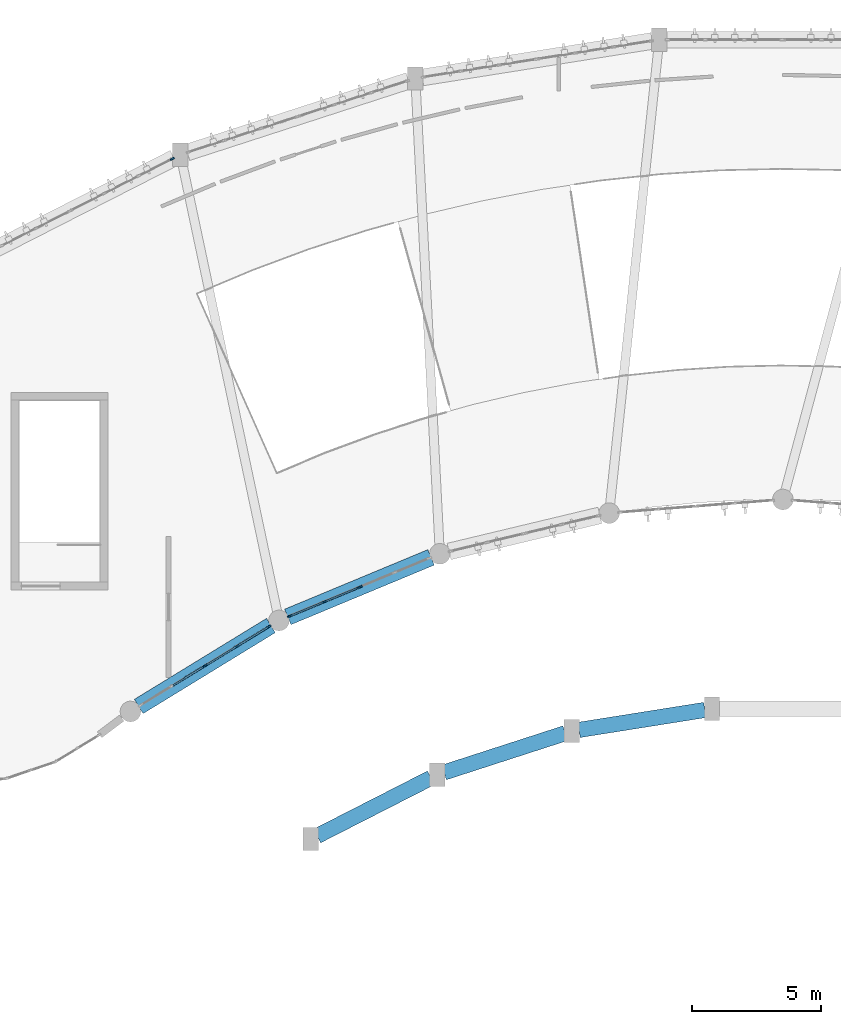
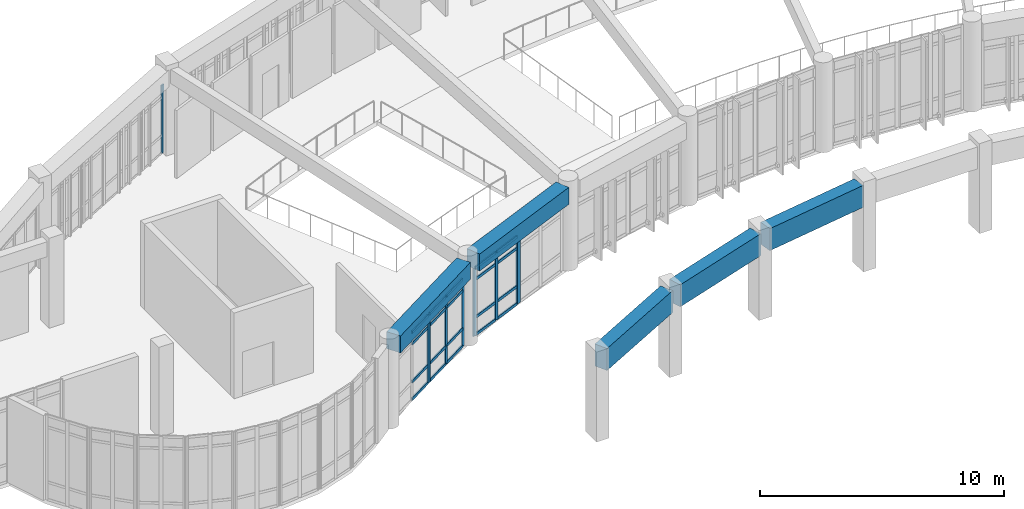
# One storey, part 12 of 54: 29 members, 5 beams, 5 elements without a shape of their own.
"""IFC4 building model written with IfcOpenShell, lengths in metres."""

from ifc_helpers import new_model, si_unit, direction, frame, origin, origin_2d, place, context, subcontext, project, spatial, rectangle, extrude, material, layer, layer_set, material_profile, profile_set, type_object, element, aggregate, save


model = new_model("IFC4")

# Units and contexts
model_context = context("Model", 3, precision=1e-05, world=origin(), true_north=direction((0.0, 1.0)))
body_context = subcontext(model_context, "Body", "Model", "MODEL_VIEW")
ifc_project = project(units=[si_unit("LENGTHUNIT", "METRE"), si_unit("AREAUNIT", "SQUARE_METRE"), si_unit("VOLUMEUNIT", "CUBIC_METRE"), si_unit("PLANEANGLEUNIT", "RADIAN"), si_unit("MASSUNIT", "GRAM", prefix="KILO")], contexts=[model_context])

# Site, building, storey
site_placement = place(None, origin())
site = spatial("IfcSite", under=ifc_project, at=site_placement, CompositionType="ELEMENT")
building_placement = place(site_placement, origin())
building = spatial("IfcBuilding", under=site, at=building_placement, Name="Miralva Faculty of Natural Sciences", CompositionType="ELEMENT")
storey_placement = place(building_placement, frame((0.0, 0.0, 19.5)))
storey = spatial("IfcBuildingStorey", under=building, at=storey_placement, Name="L04", CompositionType="ELEMENT", Elevation=19.5)

# Beams
ifc_material_1 = material(Name="Concrete C40/50", Category="concrete")
ifc_material_profile_1 = material_profile(ifc_material_1, rectangle(XDim=0.64990234375, YDim=0.85009765625, at=origin_2d()), Name="RC 650x850")
ifc_profile_set_1 = profile_set([ifc_material_profile_1], Name="Concrete C40/50")
beam_type_1 = type_object("IfcBeamType", Name="BM-SP03", PredefinedType="SPANDREL", material=ifc_profile_set_1)
beam_1_placement = place(storey_placement, frame((76.3701171875, 19.7587890625, 3.8349609375), z_axis=(-0.923386658192, -0.383871175621, 0.0), x_axis=(0.383871175621, -0.923386658192, 0.0)))
element("IfcBeam", 1, at=beam_1_placement, inside=storey, type_object=beam_type_1, Name="Curved chord girder ARCIN L04-7", PredefinedType="SPANDREL", context=body_context, shape_type="SweptSolid", body=[
    extrude(rectangle(XDim=0.64990234375, YDim=0.85009765625, at=origin_2d()), origin(), (0.0, 0.0, 1.0), 6.0107421875),
])
beam_2_placement = place(storey_placement, frame((70.166015625, 17.117919921875, 3.8349609375), z_axis=(-0.85286755932, -0.52212730848, 0.0), x_axis=(0.52212730848, -0.85286755932, 0.0)))
element("IfcBeam", 2, at=beam_2_placement, inside=storey, type_object=beam_type_1, Name="Curved chord girder ARCIN L04-8", PredefinedType="SPANDREL", context=body_context, shape_type="SweptSolid", body=[
    extrude(rectangle(XDim=0.64990234375, YDim=0.85009765625, at=origin_2d()), origin(), (0.0, 0.0, 1.0), 6.005615234375),
])
ifc_material_profile_2 = material_profile(ifc_material_1, rectangle(XDim=0.60009765625, YDim=1.10009765625, at=origin_2d()), Name="RC 600x1100")
ifc_profile_set_2 = profile_set([ifc_material_profile_2], Name="Concrete C40/50")
beam_type_2 = type_object("IfcBeamType", Name="BM-TG01", PredefinedType="BEAM", material=ifc_profile_set_2)
beam_3_placement = place(storey_placement, frame((86.977294921875, 13.8466796875, 3.7099609375), z_axis=(-0.987645980672, -0.156701681112, 0.0), x_axis=(0.156701681112, -0.987645980672, 0.0)))
element("IfcBeam", 3, at=beam_3_placement, inside=storey, type_object=beam_type_2, Name="Curved chord girder SHIN L04-5", PredefinedType="BEAM", context=body_context, shape_type="SweptSolid", body=[
    extrude(rectangle(XDim=0.60009765625, YDim=1.10009765625, at=origin_2d()), origin(), (0.0, 0.0, 1.0), 4.935791015625),
])
beam_4_placement = place(storey_placement, frame((81.5673828125, 12.945068359375, 3.7099609375), z_axis=(-0.951378867788, -0.308023132129, 0.0), x_axis=(0.308023132129, -0.951378867788, 0.0)))
element("IfcBeam", 4, at=beam_4_placement, inside=storey, type_object=beam_type_2, Name="Curved chord girder SHIN L04-6", PredefinedType="BEAM", context=body_context, shape_type="SweptSolid", body=[
    extrude(rectangle(XDim=0.60009765625, YDim=1.10009765625, at=origin_2d()), origin(), (0.0, 0.0, 1.0), 4.934814453125),
])
beam_5_placement = place(storey_placement, frame((76.364013671875, 11.214599609375, 3.7099609375), z_axis=(-0.890746789072, -0.454499898523, 0.0), x_axis=(0.454499898523, -0.890746789072, 0.0)))
element("IfcBeam", 5, at=beam_5_placement, inside=storey, type_object=beam_type_2, Name="Curved chord girder SHIN L04-7", PredefinedType="BEAM", context=body_context, shape_type="SweptSolid", body=[
    extrude(rectangle(XDim=0.60009765625, YDim=1.10009765625, at=origin_2d()), origin(), (0.0, 0.0, 1.0), 4.948974609375),
])

# Curtain wall, member
ifc_material_2 = material(Name="Laminated solar-control glass", Category="glass")
ifc_layer = layer(ifc_material_2, 0.179931640625, Name="CW-ARC-L03")
ifc_layer_set = layer_set([ifc_layer], Name="Laminated solar-control glass")
curtain_wall_type = type_object("IfcCurtainWallType", Name="CW-ARC-L03", PredefinedType="USERDEFINED", material=ifc_layer_set)
curtain_wall_1_placement = place(storey_placement, origin())
curtain_wall_1 = element("IfcCurtainWall", 6, at=curtain_wall_1_placement, inside=storey, type_object=curtain_wall_type, Name="Curtain wall CW-03 L04-157", ObjectType="UNITISED CURTAIN WALL", PredefinedType="USERDEFINED")
ifc_material_3 = material(Name="Anodised aluminium", Category="aluminium")
ifc_material_profile_3 = material_profile(ifc_material_3, rectangle(XDim=0.06494140625, YDim=0.179931640625, at=origin_2d()), Name="MULLION 65x180")
ifc_profile_set_3 = profile_set([ifc_material_profile_3], Name="Anodised aluminium")
member_type_1 = type_object("IfcMemberType", Name="CW-M01", PredefinedType="MULLION", material=ifc_profile_set_3)
member_1_placement = place(storey_placement, frame((67.573974609375, 15.533447265625, 0.0), z_axis=(0.0, 0.0, 1.0), x_axis=(-0.522497642249, 0.852640729642, 0.0)))
member_1 = element("IfcMember", 7, at=member_1_placement, type_object=member_type_1, Name="CW-03 mullion 3", PredefinedType="MULLION", context=body_context, shape_type="SweptSolid", body=[
    extrude(rectangle(XDim=0.06494140625, YDim=0.179931640625, at=origin_2d()), origin(), (0.0, 0.0, 1.0), 3.405029296875),
])

# Curtain wall, members
curtain_wall_2_placement = place(storey_placement, origin())
curtain_wall_2 = element("IfcCurtainWall", 8, at=curtain_wall_2_placement, inside=storey, type_object=curtain_wall_type, Name="Curtain wall CW-03 L04-158", ObjectType="UNITISED CURTAIN WALL", PredefinedType="USERDEFINED")
member_2_placement = place(storey_placement, frame((67.625244140625, 15.56494140625, 0.0), z_axis=(0.0, 0.0, 1.0), x_axis=(-0.522473936561, 0.852655256018, 0.0)))
member_2 = element("IfcMember", 9, at=member_2_placement, type_object=member_type_1, Name="CW-03 mullion 1", PredefinedType="MULLION", context=body_context, shape_type="SweptSolid", body=[
    extrude(rectangle(XDim=0.06494140625, YDim=0.179931640625, at=origin_2d()), origin(), (0.0, 0.0, 1.0), 3.405029296875),
])
member_3_placement = place(storey_placement, frame((68.856689453125, 16.319580078125, 0.0), z_axis=(0.0, 0.0, 1.0), x_axis=(-0.522473936561, 0.852655256018, 0.0)))
member_3 = element("IfcMember", 10, at=member_3_placement, type_object=member_type_1, Name="CW-03 mullion 2", PredefinedType="MULLION", context=body_context, shape_type="SweptSolid", body=[
    extrude(rectangle(XDim=0.06494140625, YDim=0.179931640625, at=origin_2d()), origin(), (0.0, 0.0, 1.0), 3.405029296875),
])
member_4_placement = place(storey_placement, frame((70.08837890625, 17.07421875, 0.0), z_axis=(0.0, 0.0, 1.0), x_axis=(-0.522473936561, 0.852655256018, 0.0)))
member_4 = element("IfcMember", 11, at=member_4_placement, type_object=member_type_1, Name="CW-03 mullion 3", PredefinedType="MULLION", context=body_context, shape_type="SweptSolid", body=[
    extrude(rectangle(XDim=0.06494140625, YDim=0.179931640625, at=origin_2d()), origin(), (0.0, 0.0, 1.0), 3.405029296875),
])

curtain_wall_3_placement = place(storey_placement, origin())
curtain_wall_3 = element("IfcCurtainWall", 12, at=curtain_wall_3_placement, inside=storey, type_object=curtain_wall_type, Name="Curtain wall CW-03 L04-159", ObjectType="UNITISED CURTAIN WALL", PredefinedType="USERDEFINED")
member_5_placement = place(storey_placement, frame((70.891845703125, 17.484619140625, 0.0), z_axis=(0.0, 0.0, 1.0), x_axis=(-0.382697056713, 0.923873889004, 0.0)))
member_5 = element("IfcMember", 13, at=member_5_placement, type_object=member_type_1, Name="CW-03 mullion 1", PredefinedType="MULLION", context=body_context, shape_type="SweptSolid", body=[
    extrude(rectangle(XDim=0.06494140625, YDim=0.179931640625, at=origin_2d()), origin(), (0.0, 0.0, 1.0), 3.405029296875),
])
member_6_placement = place(storey_placement, frame((72.228515625, 18.038330078125, 0.0), z_axis=(0.0, 0.0, 1.0), x_axis=(-0.382697056713, 0.923873889004, 0.0)))
member_6 = element("IfcMember", 14, at=member_6_placement, type_object=member_type_1, Name="CW-03 mullion 2", PredefinedType="MULLION", context=body_context, shape_type="SweptSolid", body=[
    extrude(rectangle(XDim=0.06494140625, YDim=0.179931640625, at=origin_2d()), origin(), (0.0, 0.0, 1.0), 3.405029296875),
])
member_7_placement = place(storey_placement, frame((73.565185546875, 18.592041015625, 0.0), z_axis=(0.0, 0.0, 1.0), x_axis=(-0.382697056713, 0.923873889004, 0.0)))
member_7 = element("IfcMember", 15, at=member_7_placement, type_object=member_type_1, Name="CW-03 mullion 3", PredefinedType="MULLION", context=body_context, shape_type="SweptSolid", body=[
    extrude(rectangle(XDim=0.06494140625, YDim=0.179931640625, at=origin_2d()), origin(), (0.0, 0.0, 1.0), 3.405029296875),
])

# Curtain wall, member
curtain_wall_4_placement = place(storey_placement, origin())
curtain_wall_4 = element("IfcCurtainWall", 16, at=curtain_wall_4_placement, inside=storey, type_object=curtain_wall_type, Name="Curtain wall CW-03 L04-160", ObjectType="UNITISED CURTAIN WALL", PredefinedType="USERDEFINED")
member_8_placement = place(storey_placement, frame((73.62060546875, 18.614990234375, 0.0), z_axis=(0.0, 0.0, 1.0), x_axis=(-0.382654754557, 0.923891410727, 0.0)))
member_8 = element("IfcMember", 17, at=member_8_placement, type_object=member_type_1, Name="CW-03 mullion 1", PredefinedType="MULLION", context=body_context, shape_type="SweptSolid", body=[
    extrude(rectangle(XDim=0.06494140625, YDim=0.179931640625, at=origin_2d()), origin(), (0.0, 0.0, 1.0), 3.405029296875),
])
aggregate(curtain_wall_4, [member_8])

curtain_wall_5_placement = place(storey_placement, origin())
curtain_wall_5 = element("IfcCurtainWall", 18, at=curtain_wall_5_placement, inside=storey, type_object=curtain_wall_type, Name="Curtain wall CW-03 L04-176", ObjectType="UNITISED CURTAIN WALL", PredefinedType="USERDEFINED")
ifc_material_profile_4 = material_profile(ifc_material_3, rectangle(XDim=0.06494140625, YDim=0.159912109375, at=origin_2d()), Name="MULLION 65x160")
ifc_profile_set_4 = profile_set([ifc_material_profile_4], Name="Anodised aluminium")
member_type_2 = type_object("IfcMemberType", Name="CW-M02", PredefinedType="MULLION", material=ifc_profile_set_4)
member_9_placement = place(storey_placement, frame((66.3466796875, 35.19873046875, 0.0), z_axis=(0.0, 0.0, 1.0), x_axis=(-0.453974643591, 0.891014603122, 0.0)))
member_9 = element("IfcMember", 19, at=member_9_placement, type_object=member_type_2, Name="CW-03 mullion 4", PredefinedType="MULLION", context=body_context, shape_type="SweptSolid", body=[
    extrude(rectangle(XDim=0.06494140625, YDim=0.159912109375, at=origin_2d()), origin(), (0.0, 0.0, 1.0), 3.405029296875),
])
aggregate(curtain_wall_5, [member_9])

# Member
ifc_material_profile_5 = material_profile(ifc_material_3, rectangle(XDim=0.06494140625, YDim=0.139892578125, at=origin_2d()), Name="TRANSOM 65x140")
ifc_profile_set_5 = profile_set([ifc_material_profile_5], Name="Anodised aluminium")
member_type_3 = type_object("IfcMemberType", Name="CW-T01", PredefinedType="USERDEFINED", material=ifc_profile_set_5)
member_10_placement = place(storey_placement, frame((66.372314453125, 14.797119140625, 0.032470703125), z_axis=(0.852636925059, 0.522503850728, 0.0), x_axis=(-0.522503850728, 0.852636925059, 0.0)))
member_10 = element("IfcMember", 20, at=member_10_placement, type_object=member_type_3, Name="CW-03 transom 2.1", ObjectType="TRANSOM", PredefinedType="USERDEFINED", context=body_context, shape_type="SweptSolid", body=[
    extrude(rectangle(XDim=0.06494140625, YDim=0.139892578125, at=origin_2d()), origin(), (0.0, 0.0, 1.0), 1.376953125),
])

member_11_placement = place(storey_placement, frame((66.372314453125, 14.797119140625, 0.89990234375), z_axis=(0.852636925059, 0.522503850728, 0.0), x_axis=(-0.522503850728, 0.852636925059, 0.0)))
member_11 = element("IfcMember", 21, at=member_11_placement, type_object=member_type_3, Name="CW-03 transom 2.2", ObjectType="TRANSOM", PredefinedType="USERDEFINED", context=body_context, shape_type="SweptSolid", body=[
    extrude(rectangle(XDim=0.06494140625, YDim=0.139892578125, at=origin_2d()), origin(), (0.0, 0.0, 1.0), 1.376953125),
])

member_12_placement = place(storey_placement, frame((66.372314453125, 14.797119140625, 2.804931640625), z_axis=(0.852636925059, 0.522503850728, 0.0), x_axis=(-0.522503850728, 0.852636925059, 0.0)))
member_12 = element("IfcMember", 22, at=member_12_placement, type_object=member_type_3, Name="CW-03 transom 2.3", ObjectType="TRANSOM", PredefinedType="USERDEFINED", context=body_context, shape_type="SweptSolid", body=[
    extrude(rectangle(XDim=0.06494140625, YDim=0.139892578125, at=origin_2d()), origin(), (0.0, 0.0, 1.0), 1.376953125),
])

member_13_placement = place(storey_placement, frame((66.372314453125, 14.797119140625, 3.37255859375), z_axis=(0.852636925059, 0.522503850728, 0.0), x_axis=(-0.522503850728, 0.852636925059, 0.0)))
member_13 = element("IfcMember", 23, at=member_13_placement, type_object=member_type_3, Name="CW-03 transom 2.4", ObjectType="TRANSOM", PredefinedType="USERDEFINED", context=body_context, shape_type="SweptSolid", body=[
    extrude(rectangle(XDim=0.06494140625, YDim=0.139892578125, at=origin_2d()), origin(), (0.0, 0.0, 1.0), 1.376953125),
])

aggregate(curtain_wall_1, [member_1, member_10, member_11, member_12, member_13])

member_14_placement = place(storey_placement, frame((67.65283203125, 15.581787109375, 0.032470703125), z_axis=(0.852677549803, 0.522437552308, 0.0), x_axis=(-0.522437552308, 0.852677549803, 0.0)))
member_14 = element("IfcMember", 24, at=member_14_placement, type_object=member_type_3, Name="CW-03 transom 1.1", ObjectType="TRANSOM", PredefinedType="USERDEFINED", context=body_context, shape_type="SweptSolid", body=[
    extrude(rectangle(XDim=0.06494140625, YDim=0.139892578125, at=origin_2d()), origin(), (0.0, 0.0, 1.0), 1.37939453125),
])

member_15_placement = place(storey_placement, frame((67.65283203125, 15.581787109375, 0.89990234375), z_axis=(0.852677549803, 0.522437552308, 0.0), x_axis=(-0.522437552308, 0.852677549803, 0.0)))
member_15 = element("IfcMember", 25, at=member_15_placement, type_object=member_type_3, Name="CW-03 transom 1.2", ObjectType="TRANSOM", PredefinedType="USERDEFINED", context=body_context, shape_type="SweptSolid", body=[
    extrude(rectangle(XDim=0.06494140625, YDim=0.139892578125, at=origin_2d()), origin(), (0.0, 0.0, 1.0), 1.37939453125),
])

member_16_placement = place(storey_placement, frame((67.65283203125, 15.581787109375, 2.804931640625), z_axis=(0.852677549803, 0.522437552308, 0.0), x_axis=(-0.522437552308, 0.852677549803, 0.0)))
member_16 = element("IfcMember", 26, at=member_16_placement, type_object=member_type_3, Name="CW-03 transom 1.3", ObjectType="TRANSOM", PredefinedType="USERDEFINED", context=body_context, shape_type="SweptSolid", body=[
    extrude(rectangle(XDim=0.06494140625, YDim=0.139892578125, at=origin_2d()), origin(), (0.0, 0.0, 1.0), 1.37939453125),
])

member_17_placement = place(storey_placement, frame((67.65283203125, 15.581787109375, 3.37255859375), z_axis=(0.852677549803, 0.522437552308, 0.0), x_axis=(-0.522437552308, 0.852677549803, 0.0)))
member_17 = element("IfcMember", 27, at=member_17_placement, type_object=member_type_3, Name="CW-03 transom 1.4", ObjectType="TRANSOM", PredefinedType="USERDEFINED", context=body_context, shape_type="SweptSolid", body=[
    extrude(rectangle(XDim=0.06494140625, YDim=0.139892578125, at=origin_2d()), origin(), (0.0, 0.0, 1.0), 1.37939453125),
])

member_18_placement = place(storey_placement, frame((68.884521484375, 16.33642578125, 0.032470703125), z_axis=(0.852677549803, 0.522437552308, 0.0), x_axis=(-0.522437552308, 0.852677549803, 0.0)))
member_18 = element("IfcMember", 28, at=member_18_placement, type_object=member_type_3, Name="CW-03 transom 2.1", ObjectType="TRANSOM", PredefinedType="USERDEFINED", context=body_context, shape_type="SweptSolid", body=[
    extrude(rectangle(XDim=0.06494140625, YDim=0.139892578125, at=origin_2d()), origin(), (0.0, 0.0, 1.0), 1.37939453125),
])

member_19_placement = place(storey_placement, frame((68.884521484375, 16.33642578125, 0.89990234375), z_axis=(0.852677549803, 0.522437552308, 0.0), x_axis=(-0.522437552308, 0.852677549803, 0.0)))
member_19 = element("IfcMember", 29, at=member_19_placement, type_object=member_type_3, Name="CW-03 transom 2.2", ObjectType="TRANSOM", PredefinedType="USERDEFINED", context=body_context, shape_type="SweptSolid", body=[
    extrude(rectangle(XDim=0.06494140625, YDim=0.139892578125, at=origin_2d()), origin(), (0.0, 0.0, 1.0), 1.37939453125),
])

member_20_placement = place(storey_placement, frame((68.884521484375, 16.33642578125, 2.804931640625), z_axis=(0.852677549803, 0.522437552308, 0.0), x_axis=(-0.522437552308, 0.852677549803, 0.0)))
member_20 = element("IfcMember", 30, at=member_20_placement, type_object=member_type_3, Name="CW-03 transom 2.3", ObjectType="TRANSOM", PredefinedType="USERDEFINED", context=body_context, shape_type="SweptSolid", body=[
    extrude(rectangle(XDim=0.06494140625, YDim=0.139892578125, at=origin_2d()), origin(), (0.0, 0.0, 1.0), 1.37939453125),
])

member_21_placement = place(storey_placement, frame((68.884521484375, 16.33642578125, 3.37255859375), z_axis=(0.852677549803, 0.522437552308, 0.0), x_axis=(-0.522437552308, 0.852677549803, 0.0)))
member_21 = element("IfcMember", 31, at=member_21_placement, type_object=member_type_3, Name="CW-03 transom 2.4", ObjectType="TRANSOM", PredefinedType="USERDEFINED", context=body_context, shape_type="SweptSolid", body=[
    extrude(rectangle(XDim=0.06494140625, YDim=0.139892578125, at=origin_2d()), origin(), (0.0, 0.0, 1.0), 1.37939453125),
])

aggregate(curtain_wall_2, [member_2, member_3, member_4, member_14, member_15, member_16, member_17, member_18, member_19, member_20, member_21])

member_22_placement = place(storey_placement, frame((70.921875, 17.4970703125, 0.032470703125), z_axis=(0.923874704855, 0.382695087151, 0.0), x_axis=(-0.382695087151, 0.923874704855, 0.0)))
member_22 = element("IfcMember", 32, at=member_22_placement, type_object=member_type_3, Name="CW-03 transom 1.1", ObjectType="TRANSOM", PredefinedType="USERDEFINED", context=body_context, shape_type="SweptSolid", body=[
    extrude(rectangle(XDim=0.06494140625, YDim=0.139892578125, at=origin_2d()), origin(), (0.0, 0.0, 1.0), 1.3818359375),
])

member_23_placement = place(storey_placement, frame((70.921875, 17.4970703125, 0.89990234375), z_axis=(0.923874704855, 0.382695087151, 0.0), x_axis=(-0.382695087151, 0.923874704855, 0.0)))
member_23 = element("IfcMember", 33, at=member_23_placement, type_object=member_type_3, Name="CW-03 transom 1.2", ObjectType="TRANSOM", PredefinedType="USERDEFINED", context=body_context, shape_type="SweptSolid", body=[
    extrude(rectangle(XDim=0.06494140625, YDim=0.139892578125, at=origin_2d()), origin(), (0.0, 0.0, 1.0), 1.3818359375),
])

member_24_placement = place(storey_placement, frame((70.921875, 17.4970703125, 2.804931640625), z_axis=(0.923874704855, 0.382695087151, 0.0), x_axis=(-0.382695087151, 0.923874704855, 0.0)))
member_24 = element("IfcMember", 34, at=member_24_placement, type_object=member_type_3, Name="CW-03 transom 1.3", ObjectType="TRANSOM", PredefinedType="USERDEFINED", context=body_context, shape_type="SweptSolid", body=[
    extrude(rectangle(XDim=0.06494140625, YDim=0.139892578125, at=origin_2d()), origin(), (0.0, 0.0, 1.0), 1.3818359375),
])

member_25_placement = place(storey_placement, frame((70.921875, 17.4970703125, 3.37255859375), z_axis=(0.923874704855, 0.382695087151, 0.0), x_axis=(-0.382695087151, 0.923874704855, 0.0)))
member_25 = element("IfcMember", 35, at=member_25_placement, type_object=member_type_3, Name="CW-03 transom 1.4", ObjectType="TRANSOM", PredefinedType="USERDEFINED", context=body_context, shape_type="SweptSolid", body=[
    extrude(rectangle(XDim=0.06494140625, YDim=0.139892578125, at=origin_2d()), origin(), (0.0, 0.0, 1.0), 1.3818359375),
])

member_26_placement = place(storey_placement, frame((72.258544921875, 18.05078125, 0.032470703125), z_axis=(0.923874704855, 0.382695087151, 0.0), x_axis=(-0.382695087151, 0.923874704855, 0.0)))
member_26 = element("IfcMember", 36, at=member_26_placement, type_object=member_type_3, Name="CW-03 transom 2.1", ObjectType="TRANSOM", PredefinedType="USERDEFINED", context=body_context, shape_type="SweptSolid", body=[
    extrude(rectangle(XDim=0.06494140625, YDim=0.139892578125, at=origin_2d()), origin(), (0.0, 0.0, 1.0), 1.3818359375),
])

member_27_placement = place(storey_placement, frame((72.258544921875, 18.05078125, 0.89990234375), z_axis=(0.923874704855, 0.382695087151, 0.0), x_axis=(-0.382695087151, 0.923874704855, 0.0)))
member_27 = element("IfcMember", 37, at=member_27_placement, type_object=member_type_3, Name="CW-03 transom 2.2", ObjectType="TRANSOM", PredefinedType="USERDEFINED", context=body_context, shape_type="SweptSolid", body=[
    extrude(rectangle(XDim=0.06494140625, YDim=0.139892578125, at=origin_2d()), origin(), (0.0, 0.0, 1.0), 1.3818359375),
])

member_28_placement = place(storey_placement, frame((72.258544921875, 18.05078125, 2.804931640625), z_axis=(0.923874704855, 0.382695087151, 0.0), x_axis=(-0.382695087151, 0.923874704855, 0.0)))
member_28 = element("IfcMember", 38, at=member_28_placement, type_object=member_type_3, Name="CW-03 transom 2.3", ObjectType="TRANSOM", PredefinedType="USERDEFINED", context=body_context, shape_type="SweptSolid", body=[
    extrude(rectangle(XDim=0.06494140625, YDim=0.139892578125, at=origin_2d()), origin(), (0.0, 0.0, 1.0), 1.3818359375),
])

member_29_placement = place(storey_placement, frame((72.258544921875, 18.05078125, 3.37255859375), z_axis=(0.923874704855, 0.382695087151, 0.0), x_axis=(-0.382695087151, 0.923874704855, 0.0)))
member_29 = element("IfcMember", 39, at=member_29_placement, type_object=member_type_3, Name="CW-03 transom 2.4", ObjectType="TRANSOM", PredefinedType="USERDEFINED", context=body_context, shape_type="SweptSolid", body=[
    extrude(rectangle(XDim=0.06494140625, YDim=0.139892578125, at=origin_2d()), origin(), (0.0, 0.0, 1.0), 1.3818359375),
])

aggregate(curtain_wall_3, [member_5, member_6, member_7, member_22, member_23, member_24, member_25, member_26, member_27, member_28, member_29])

save(model, "model.ifc")
